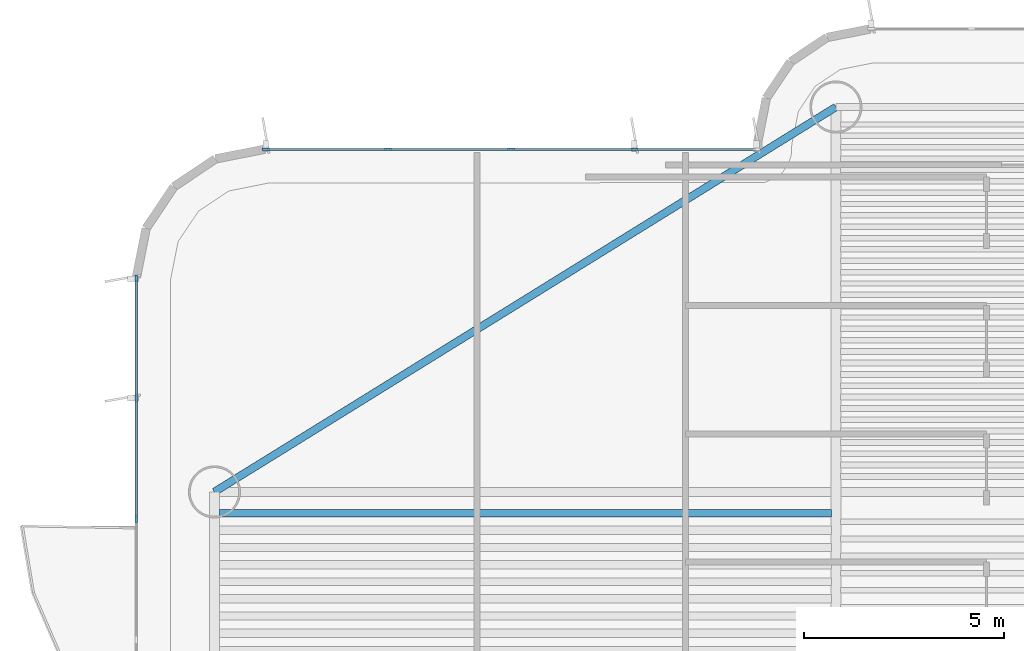
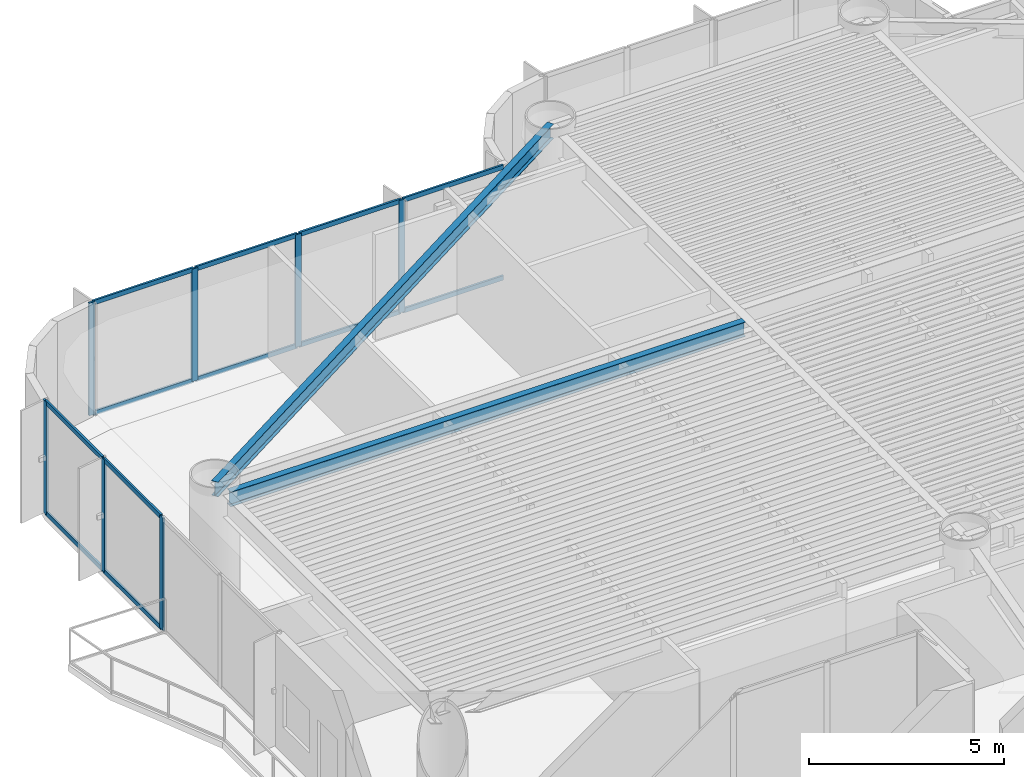
# One storey, part 5 of 16: 19 members, 2 beams, 2 elements without a shape of their own.
"""IFC4 building model written with IfcOpenShell, lengths in metres."""

from ifc_helpers import new_model, si_unit, direction, frame, origin, origin_2d, place, context, subcontext, project, spatial, rectangle, i_section, extrude, source, transform, mapped, material, layer, layer_set, material_profile, profile_set, type_object, element, aggregate, save


model = new_model("IFC4")

# Units and contexts
model_context = context("Model", 3, precision=1e-05, world=origin(), true_north=direction((0.0, 1.0)))
body_context = subcontext(model_context, "Body", "Model", "MODEL_VIEW")
ifc_project = project(units=[si_unit("LENGTHUNIT", "METRE"), si_unit("AREAUNIT", "SQUARE_METRE"), si_unit("VOLUMEUNIT", "CUBIC_METRE"), si_unit("PLANEANGLEUNIT", "RADIAN"), si_unit("MASSUNIT", "GRAM", prefix="KILO")], contexts=[model_context])

# Site, building, storey
site_placement = place(None, origin())
site = spatial("IfcSite", under=ifc_project, at=site_placement, CompositionType="ELEMENT")
building_placement = place(site_placement, origin())
building = spatial("IfcBuilding", under=site, at=building_placement, Name="Brelvock Crest Care Tower", CompositionType="ELEMENT")
storey_placement = place(building_placement, frame((0.0, 0.0, 101.159912109375)))
storey = spatial("IfcBuildingStorey", under=building, at=storey_placement, Name="L25", CompositionType="ELEMENT", Elevation=101.159912109375)

# Beams
ifc_material_1 = material(Name="Steel Grade 350", Category="steel")
ifc_material_profile_1 = material_profile(ifc_material_1, i_section(OverallWidth=0.19091796875, OverallDepth=0.4599609375, WebThickness=0.010009765625, FlangeThickness=0.01611328125, FilletRadius=0.011474609375, at=origin_2d()), Name="460UB82.1")
ifc_profile_set_1 = profile_set([ifc_material_profile_1], Name="Steel Grade 350")
beam_type_1 = type_object("IfcBeamType", Name="BM-G3", PredefinedType="BEAM", material=ifc_profile_set_1)
shared_shape_1 = source(origin(), body_context, "Body", "SweptSolid", [
    extrude(i_section(OverallWidth=0.19091796875, OverallDepth=0.4599609375, WebThickness=0.010009765625, FlangeThickness=0.01611328125, FilletRadius=0.011474609375, at=origin_2d()), origin(), (0.0, 0.0, 1.0), 15.27001953125),
])
beam_1_placement = place(storey_placement, frame((15.965087890625, 38.317626953125, 3.300048828125), z_axis=(1.0, 0.0, 0.0), x_axis=(0.0, 1.0, 0.0)))
element("IfcBeam", 1, at=beam_1_placement, inside=storey, type_object=beam_type_1, Name="BM-JW-L25-26", PredefinedType="BEAM", context=body_context, shape_type="MappedRepresentation", body=[
    mapped(shared_shape_1, transform((0.0, 0.0, 0.0), x_axis=(1.0, 0.0, 0.0), y_axis=(0.0, 1.0, 0.0), z_axis=(0.0, 0.0, 1.0), scale=1.0)),
])
ifc_material_profile_2 = material_profile(ifc_material_1, i_section(OverallWidth=0.19091796875, OverallDepth=0.4599609375, WebThickness=0.010009765625, FlangeThickness=0.01611328125, FilletRadius=0.011474609375, at=origin_2d()), Name="460UB82.1")
ifc_profile_set_2 = profile_set([ifc_material_profile_2], Name="Steel Grade 350")
beam_type_2 = type_object("IfcBeamType", Name="BM-SP2", PredefinedType="SPANDREL", material=ifc_profile_set_2)
shared_shape_2 = source(origin(), body_context, "Body", "SweptSolid", [
    extrude(i_section(OverallWidth=0.19091796875, OverallDepth=0.4599609375, WebThickness=0.010009765625, FlangeThickness=0.01611328125, FilletRadius=0.011474609375, at=origin_2d()), origin(), (0.0, 0.0, 1.0), 18.23193359375),
])
beam_2_placement = place(storey_placement, frame((15.85009765625, 38.85009765625, 3.300048828125), z_axis=(0.85015183248, 0.526537616635, 0.0), x_axis=(-0.526537616635, 0.85015183248, 0.0)))
element("IfcBeam", 2, at=beam_2_placement, inside=storey, type_object=beam_type_2, Name="BM-TWR-L25-06", PredefinedType="SPANDREL", context=body_context, shape_type="MappedRepresentation", body=[
    mapped(shared_shape_2, transform((0.0, 0.0, 0.0), x_axis=(1.0, 0.0, 0.0), y_axis=(0.0, 1.0, 0.0), z_axis=(0.0, 0.0, 1.0), scale=1.0)),
])

# Curtain wall, members
ifc_material_2 = material(Name="Dark Glass Double Glazed Low-E", Category="glass")
ifc_layer = layer(ifc_material_2, 0.2099609375, Name="CWS-3")
ifc_layer_set = layer_set([ifc_layer], Name="Dark Glass Double Glazed Low-E")
curtain_wall_type = type_object("IfcCurtainWallType", Name="CWS-3", PredefinedType="NOTDEFINED", material=ifc_layer_set)
curtain_wall_1_placement = place(storey_placement, origin())
curtain_wall_1 = element("IfcCurtainWall", 3, at=curtain_wall_1_placement, inside=storey, type_object=curtain_wall_type, Name="L25 Curtain Wall E17B", PredefinedType="NOTDEFINED")
ifc_material_3 = material(Name="Aluminium 6063-T6", Category="aluminium")
ifc_material_profile_3 = material_profile(ifc_material_3, rectangle(XDim=0.06005859375, YDim=0.179931640625, at=origin_2d()), Name="ALU60x180")
ifc_profile_set_3 = profile_set([ifc_material_profile_3], Name="Aluminium 6063-T6")
member_type_1 = type_object("IfcMemberType", Name="CWM-2", PredefinedType="MULLION", material=ifc_profile_set_3)
shared_shape_3 = source(origin(), body_context, "Body", "SweptSolid", [
    extrude(rectangle(XDim=0.06005859375, YDim=0.179931640625, at=origin_2d()), origin(), (0.0, 0.0, 1.0), 3.530029296875),
])
member_1_placement = place(storey_placement, frame((13.89990234375, 38.175048828125, 0.0), z_axis=(0.0, 0.0, 1.0), x_axis=(-1.0, 0.0, 0.0)))
member_1 = element("IfcMember", 4, at=member_1_placement, type_object=member_type_1, Name="CW-3 mullion 3", PredefinedType="MULLION", context=body_context, shape_type="MappedRepresentation", body=[
    mapped(shared_shape_3, transform((0.0, 0.0, 0.0), x_axis=(1.0, 0.0, 0.0), y_axis=(0.0, 1.0, 0.0), z_axis=(0.0, 0.0, 1.0), scale=1.0)),
])
member_2_placement = place(storey_placement, frame((13.89990234375, 41.1875, 0.0), z_axis=(0.0, 0.0, 1.0), x_axis=(-1.0, 0.0, 0.0)))
member_2 = element("IfcMember", 5, at=member_2_placement, type_object=member_type_1, Name="CW-3 mullion 4", PredefinedType="MULLION", context=body_context, shape_type="MappedRepresentation", body=[
    mapped(shared_shape_3, transform((0.0, 0.0, 0.0), x_axis=(1.0, 0.0, 0.0), y_axis=(0.0, 1.0, 0.0), z_axis=(0.0, 0.0, 1.0), scale=1.0)),
])
member_3_placement = place(storey_placement, frame((13.89990234375, 44.169921875, 0.0), z_axis=(0.0, 0.0, 1.0), x_axis=(-1.0, 0.0, 0.0)))
member_3 = element("IfcMember", 6, at=member_3_placement, type_object=member_type_1, Name="CW-3 mullion 5", PredefinedType="MULLION", context=body_context, shape_type="MappedRepresentation", body=[
    mapped(shared_shape_3, transform((0.0, 0.0, 0.0), x_axis=(1.0, 0.0, 0.0), y_axis=(0.0, 1.0, 0.0), z_axis=(0.0, 0.0, 1.0), scale=1.0)),
])

curtain_wall_2_placement = place(storey_placement, origin())
curtain_wall_2 = element("IfcCurtainWall", 7, at=curtain_wall_2_placement, inside=storey, type_object=curtain_wall_type, Name="L25 Curtain Wall E22", PredefinedType="NOTDEFINED")
member_4_placement = place(storey_placement, frame((17.1298828125, 47.39990234375, 0.0), z_axis=(0.0, 0.0, 1.0), x_axis=(0.0, 1.0, 0.0)))
member_4 = element("IfcMember", 8, at=member_4_placement, type_object=member_type_1, Name="CW-3 mullion 1", PredefinedType="MULLION", context=body_context, shape_type="MappedRepresentation", body=[
    mapped(shared_shape_3, transform((0.0, 0.0, 0.0), x_axis=(1.0, 0.0, 0.0), y_axis=(0.0, 1.0, 0.0), z_axis=(0.0, 0.0, 1.0), scale=1.0)),
])
member_5_placement = place(storey_placement, frame((20.175048828125, 47.39990234375, 0.0), z_axis=(0.0, 0.0, 1.0), x_axis=(0.0, 1.0, 0.0)))
member_5 = element("IfcMember", 9, at=member_5_placement, type_object=member_type_1, Name="CW-3 mullion 2", PredefinedType="MULLION", context=body_context, shape_type="MappedRepresentation", body=[
    mapped(shared_shape_3, transform((0.0, 0.0, 0.0), x_axis=(1.0, 0.0, 0.0), y_axis=(0.0, 1.0, 0.0), z_axis=(0.0, 0.0, 1.0), scale=1.0)),
])
member_6_placement = place(storey_placement, frame((23.25, 47.39990234375, 0.0), z_axis=(0.0, 0.0, 1.0), x_axis=(0.0, 1.0, 0.0)))
member_6 = element("IfcMember", 10, at=member_6_placement, type_object=member_type_1, Name="CW-3 mullion 3", PredefinedType="MULLION", context=body_context, shape_type="MappedRepresentation", body=[
    mapped(shared_shape_3, transform((0.0, 0.0, 0.0), x_axis=(1.0, 0.0, 0.0), y_axis=(0.0, 1.0, 0.0), z_axis=(0.0, 0.0, 1.0), scale=1.0)),
])
member_7_placement = place(storey_placement, frame((26.324951171875, 47.39990234375, 0.0), z_axis=(0.0, 0.0, 1.0), x_axis=(0.0, 1.0, 0.0)))
member_7 = element("IfcMember", 11, at=member_7_placement, type_object=member_type_1, Name="CW-3 mullion 4", PredefinedType="MULLION", context=body_context, shape_type="MappedRepresentation", body=[
    mapped(shared_shape_3, transform((0.0, 0.0, 0.0), x_axis=(1.0, 0.0, 0.0), y_axis=(0.0, 1.0, 0.0), z_axis=(0.0, 0.0, 1.0), scale=1.0)),
])

# Member
ifc_material_profile_4 = material_profile(ifc_material_3, rectangle(XDim=0.06005859375, YDim=0.139892578125, at=origin_2d()), Name="ALU60x140")
ifc_profile_set_4 = profile_set([ifc_material_profile_4], Name="Aluminium 6063-T6")
member_type_2 = type_object("IfcMemberType", Name="CWT-2", PredefinedType="USERDEFINED", material=ifc_profile_set_4)
shared_shape_4 = source(origin(), body_context, "Body", "SweptSolid", [
    extrude(rectangle(XDim=0.06005859375, YDim=0.139892578125, at=origin_2d()), origin(), (0.0, 0.0, 1.0), 2.952392578125),
])
member_8_placement = place(storey_placement, frame((13.89990234375, 38.205078125, 0.030029296875), z_axis=(0.0, 1.0, 0.0), x_axis=(-1.0, 0.0, 0.0)))
member_8 = element("IfcMember", 12, at=member_8_placement, type_object=member_type_2, Name="CW-3 transom 3.1", ObjectType="TRANSOM", PredefinedType="USERDEFINED", context=body_context, shape_type="MappedRepresentation", body=[
    mapped(shared_shape_4, transform((0.0, 0.0, 0.0), x_axis=(1.0, 0.0, 0.0), y_axis=(0.0, 1.0, 0.0), z_axis=(0.0, 0.0, 1.0), scale=1.0)),
])

member_9_placement = place(storey_placement, frame((13.89990234375, 38.205078125, 3.5), z_axis=(0.0, 1.0, 0.0), x_axis=(-1.0, 0.0, 0.0)))
member_9 = element("IfcMember", 13, at=member_9_placement, type_object=member_type_2, Name="CW-3 transom 3.2", ObjectType="TRANSOM", PredefinedType="USERDEFINED", context=body_context, shape_type="MappedRepresentation", body=[
    mapped(shared_shape_4, transform((0.0, 0.0, 0.0), x_axis=(1.0, 0.0, 0.0), y_axis=(0.0, 1.0, 0.0), z_axis=(0.0, 0.0, 1.0), scale=1.0)),
])

shared_shape_5 = source(origin(), body_context, "Body", "SweptSolid", [
    extrude(rectangle(XDim=0.06005859375, YDim=0.139892578125, at=origin_2d()), origin(), (0.0, 0.0, 1.0), 2.92236328125),
])
member_10_placement = place(storey_placement, frame((13.89990234375, 41.217529296875, 0.030029296875), z_axis=(0.0, 1.0, 0.0), x_axis=(-1.0, 0.0, 0.0)))
member_10 = element("IfcMember", 14, at=member_10_placement, type_object=member_type_2, Name="CW-3 transom 4.1", ObjectType="TRANSOM", PredefinedType="USERDEFINED", context=body_context, shape_type="MappedRepresentation", body=[
    mapped(shared_shape_5, transform((0.0, 0.0, 0.0), x_axis=(1.0, 0.0, 0.0), y_axis=(0.0, 1.0, 0.0), z_axis=(0.0, 0.0, 1.0), scale=1.0)),
])

member_11_placement = place(storey_placement, frame((13.89990234375, 41.217529296875, 3.5), z_axis=(0.0, 1.0, 0.0), x_axis=(-1.0, 0.0, 0.0)))
member_11 = element("IfcMember", 15, at=member_11_placement, type_object=member_type_2, Name="CW-3 transom 4.2", ObjectType="TRANSOM", PredefinedType="USERDEFINED", context=body_context, shape_type="MappedRepresentation", body=[
    mapped(shared_shape_5, transform((0.0, 0.0, 0.0), x_axis=(1.0, 0.0, 0.0), y_axis=(0.0, 1.0, 0.0), z_axis=(0.0, 0.0, 1.0), scale=1.0)),
])

aggregate(curtain_wall_1, [member_1, member_2, member_3, member_8, member_9, member_10, member_11])

shared_shape_6 = source(origin(), body_context, "Body", "SweptSolid", [
    extrude(rectangle(XDim=0.06005859375, YDim=0.139892578125, at=origin_2d()), origin(), (0.0, 0.0, 1.0), 2.985107421875),
])
member_12_placement = place(storey_placement, frame((17.159912109375, 47.39990234375, 0.030029296875), z_axis=(1.0, 0.0, 0.0), x_axis=(0.0, 1.0, 0.0)))
member_12 = element("IfcMember", 16, at=member_12_placement, type_object=member_type_2, Name="CW-3 transom 1.1", ObjectType="TRANSOM", PredefinedType="USERDEFINED", context=body_context, shape_type="MappedRepresentation", body=[
    mapped(shared_shape_6, transform((0.0, 0.0, 0.0), x_axis=(1.0, 0.0, 0.0), y_axis=(0.0, 1.0, 0.0), z_axis=(0.0, 0.0, 1.0), scale=1.0)),
])

member_13_placement = place(storey_placement, frame((17.159912109375, 47.39990234375, 3.5), z_axis=(1.0, 0.0, 0.0), x_axis=(0.0, 1.0, 0.0)))
member_13 = element("IfcMember", 17, at=member_13_placement, type_object=member_type_2, Name="CW-3 transom 1.2", ObjectType="TRANSOM", PredefinedType="USERDEFINED", context=body_context, shape_type="MappedRepresentation", body=[
    mapped(shared_shape_6, transform((0.0, 0.0, 0.0), x_axis=(1.0, 0.0, 0.0), y_axis=(0.0, 1.0, 0.0), z_axis=(0.0, 0.0, 1.0), scale=1.0)),
])

member_14_placement = place(storey_placement, frame((26.35498046875, 47.39990234375, 0.030029296875), z_axis=(1.0, 0.0, 0.0), x_axis=(0.0, 1.0, 0.0)))
member_14 = element("IfcMember", 18, at=member_14_placement, type_object=member_type_2, Name="CW-3 transom 4.1", ObjectType="TRANSOM", PredefinedType="USERDEFINED", context=body_context, shape_type="MappedRepresentation", body=[
    mapped(shared_shape_6, transform((0.0, 0.0, 0.0), x_axis=(1.0, 0.0, 0.0), y_axis=(0.0, 1.0, 0.0), z_axis=(0.0, 0.0, 1.0), scale=1.0)),
])

member_15_placement = place(storey_placement, frame((26.35498046875, 47.39990234375, 3.5), z_axis=(1.0, 0.0, 0.0), x_axis=(0.0, 1.0, 0.0)))
member_15 = element("IfcMember", 19, at=member_15_placement, type_object=member_type_2, Name="CW-3 transom 4.2", ObjectType="TRANSOM", PredefinedType="USERDEFINED", context=body_context, shape_type="MappedRepresentation", body=[
    mapped(shared_shape_6, transform((0.0, 0.0, 0.0), x_axis=(1.0, 0.0, 0.0), y_axis=(0.0, 1.0, 0.0), z_axis=(0.0, 0.0, 1.0), scale=1.0)),
])

shared_shape_7 = source(origin(), body_context, "Body", "SweptSolid", [
    extrude(rectangle(XDim=0.06005859375, YDim=0.139892578125, at=origin_2d()), origin(), (0.0, 0.0, 1.0), 3.014892578125),
])
member_16_placement = place(storey_placement, frame((20.205078125, 47.39990234375, 0.030029296875), z_axis=(1.0, 0.0, 0.0), x_axis=(0.0, 1.0, 0.0)))
member_16 = element("IfcMember", 20, at=member_16_placement, type_object=member_type_2, Name="CW-3 transom 2.1", ObjectType="TRANSOM", PredefinedType="USERDEFINED", context=body_context, shape_type="MappedRepresentation", body=[
    mapped(shared_shape_7, transform((0.0, 0.0, 0.0), x_axis=(1.0, 0.0, 0.0), y_axis=(0.0, 1.0, 0.0), z_axis=(0.0, 0.0, 1.0), scale=1.0)),
])

member_17_placement = place(storey_placement, frame((20.205078125, 47.39990234375, 3.5), z_axis=(1.0, 0.0, 0.0), x_axis=(0.0, 1.0, 0.0)))
member_17 = element("IfcMember", 21, at=member_17_placement, type_object=member_type_2, Name="CW-3 transom 2.2", ObjectType="TRANSOM", PredefinedType="USERDEFINED", context=body_context, shape_type="MappedRepresentation", body=[
    mapped(shared_shape_7, transform((0.0, 0.0, 0.0), x_axis=(1.0, 0.0, 0.0), y_axis=(0.0, 1.0, 0.0), z_axis=(0.0, 0.0, 1.0), scale=1.0)),
])

member_18_placement = place(storey_placement, frame((23.280029296875, 47.39990234375, 0.030029296875), z_axis=(1.0, 0.0, 0.0), x_axis=(0.0, 1.0, 0.0)))
member_18 = element("IfcMember", 22, at=member_18_placement, type_object=member_type_2, Name="CW-3 transom 3.1", ObjectType="TRANSOM", PredefinedType="USERDEFINED", context=body_context, shape_type="MappedRepresentation", body=[
    mapped(shared_shape_7, transform((0.0, 0.0, 0.0), x_axis=(1.0, 0.0, 0.0), y_axis=(0.0, 1.0, 0.0), z_axis=(0.0, 0.0, 1.0), scale=1.0)),
])

member_19_placement = place(storey_placement, frame((23.280029296875, 47.39990234375, 3.5), z_axis=(1.0, 0.0, 0.0), x_axis=(0.0, 1.0, 0.0)))
member_19 = element("IfcMember", 23, at=member_19_placement, type_object=member_type_2, Name="CW-3 transom 3.2", ObjectType="TRANSOM", PredefinedType="USERDEFINED", context=body_context, shape_type="MappedRepresentation", body=[
    mapped(shared_shape_7, transform((0.0, 0.0, 0.0), x_axis=(1.0, 0.0, 0.0), y_axis=(0.0, 1.0, 0.0), z_axis=(0.0, 0.0, 1.0), scale=1.0)),
])

aggregate(curtain_wall_2, [member_4, member_5, member_6, member_7, member_12, member_13, member_16, member_17, member_18, member_19, member_14, member_15])

save(model, "model.ifc")
